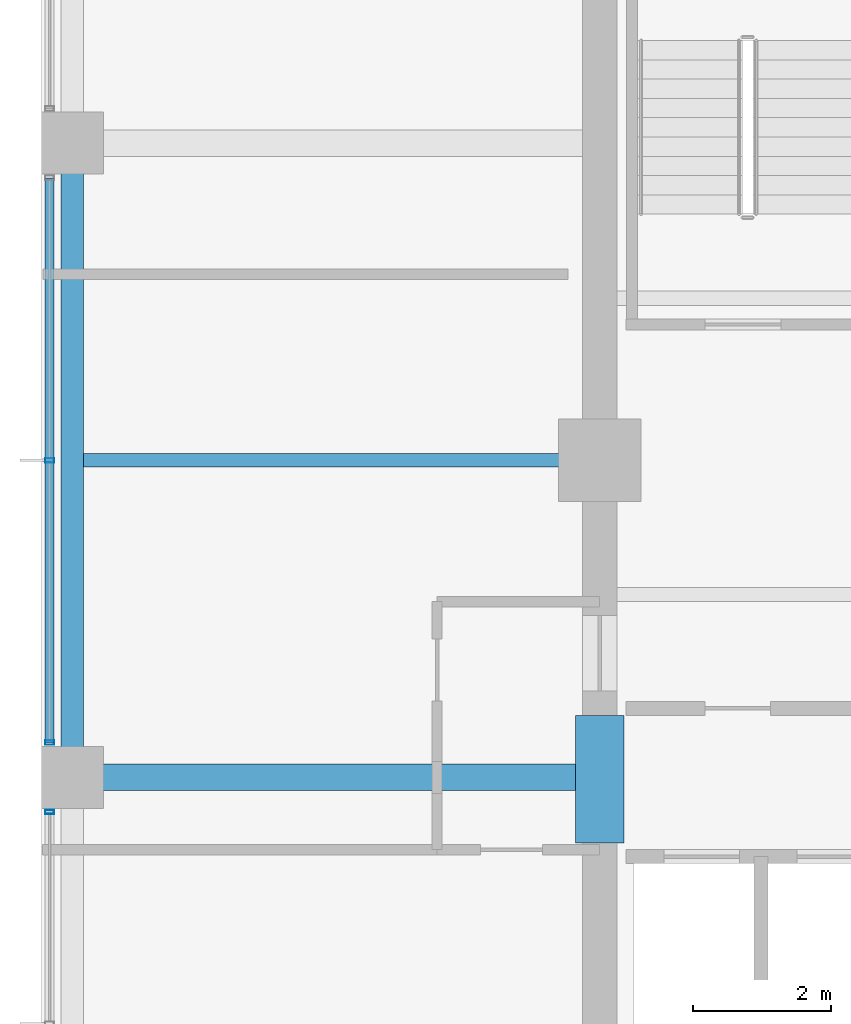
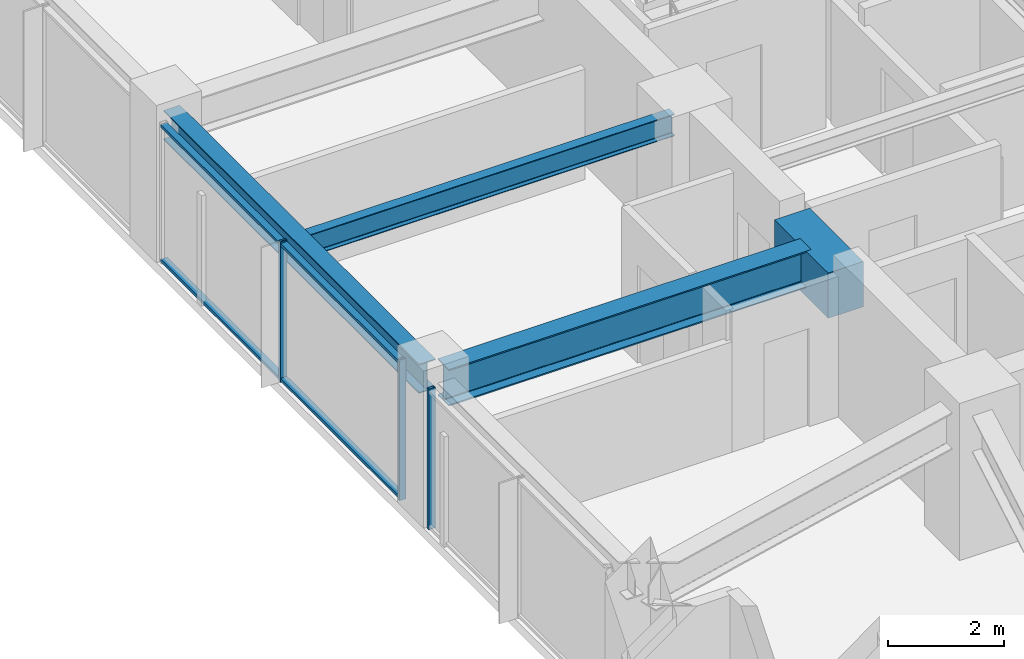
# One storey, part 9 of 31: 5 members, 4 beams, 2 elements without a shape of their own.
"""IFC4 building model written with IfcOpenShell, lengths in metres."""

from ifc_helpers import new_model, si_unit, direction, frame, origin, origin_2d, place, context, subcontext, project, spatial, rectangle, hollow_rectangle, i_section, extrude, material, material_profile, profile_set, type_object, element, aggregate, save


model = new_model("IFC4")

# Units and contexts
model_context = context("Model", 3, precision=1e-05, world=origin(), true_north=direction((0.0, 1.0)))
body_context = subcontext(model_context, "Body", "Model", "MODEL_VIEW")
ifc_project = project(units=[si_unit("LENGTHUNIT", "METRE"), si_unit("AREAUNIT", "SQUARE_METRE"), si_unit("VOLUMEUNIT", "CUBIC_METRE"), si_unit("PLANEANGLEUNIT", "RADIAN"), si_unit("MASSUNIT", "GRAM", prefix="KILO")], contexts=[model_context])

# Site, building, storey
site_placement = place(None, origin())
site = spatial("IfcSite", under=ifc_project, at=site_placement, CompositionType="ELEMENT")
building_placement = place(site_placement, origin())
building = spatial("IfcBuilding", under=site, at=building_placement, Name="Kolvaren Belvedere", CompositionType="ELEMENT")
storey_placement = place(building_placement, frame((0.0, 0.0, 144.800048828125)))
storey = spatial("IfcBuildingStorey", under=building, at=storey_placement, Name="L42", CompositionType="ELEMENT", Elevation=144.800048828125)

# Beams
ifc_material_1 = material(Name="Structural steel ASTM A992 Grade 50", Category="steel")
ifc_material_profile_1 = material_profile(ifc_material_1, i_section(OverallWidth=0.381103515625, OverallDepth=0.77294921875, WebThickness=0.0166015625, FlangeThickness=0.027099609375, FilletRadius=0.02392578125, at=origin_2d()), Name="W30X173")
ifc_profile_set_1 = profile_set([ifc_material_profile_1], Name="Structural steel ASTM A992 Grade 50")
beam_type_1 = type_object("IfcBeamType", Name="BM-GIRD-W30X173", PredefinedType="BEAM", material=ifc_profile_set_1)
beam_1_placement = place(storey_placement, frame((-10.14990234375, -4.60009765625, 2.5634765625), z_axis=(-1.0, 0.0, 0.0), x_axis=(0.0, -1.0, 0.0)))
element("IfcBeam", 1, at=beam_1_placement, inside=storey, type_object=beam_type_1, Name="L42 West Radial Girder M", PredefinedType="BEAM", context=body_context, shape_type="SweptSolid", body=[
    extrude(i_section(OverallWidth=0.381103515625, OverallDepth=0.77294921875, WebThickness=0.0166015625, FlangeThickness=0.027099609375, FilletRadius=0.02392578125, at=origin_2d()), origin(), (0.0, 0.0, 1.0), 7.197509765625),
])
ifc_material_2 = material(Name="Structural steel ASTM A992 Grade 50", Category="steel")
ifc_material_profile_2 = material_profile(ifc_material_2, i_section(OverallWidth=0.19091796875, OverallDepth=0.4599609375, WebThickness=0.010009765625, FlangeThickness=0.01611328125, FilletRadius=0.014892578125, at=origin_2d()), Name="W18X55")
ifc_profile_set_2 = profile_set([ifc_material_profile_2], Name="Structural steel ASTM A992 Grade 50")
beam_type_2 = type_object("IfcBeamType", Name="BM-JOIST-W18X55", PredefinedType="BEAM", material=ifc_profile_set_2)
beam_2_placement = place(storey_placement, frame((-10.14990234375, 0.0, 2.719970703125), z_axis=(-1.0, 0.0, 0.0), x_axis=(0.0, -1.0, 0.0)))
element("IfcBeam", 2, at=beam_2_placement, inside=storey, type_object=beam_type_2, Name="L42 West Centre Floor Beam", PredefinedType="BEAM", context=body_context, shape_type="SweptSolid", body=[
    extrude(i_section(OverallWidth=0.19091796875, OverallDepth=0.4599609375, WebThickness=0.010009765625, FlangeThickness=0.01611328125, FilletRadius=0.014892578125, at=origin_2d()), origin(), (0.0, 0.0, 1.0), 7.237548828125),
])
ifc_material_3 = material(Name="Concrete C60/75", Category="concrete")
ifc_material_profile_3 = material_profile(ifc_material_3, rectangle(XDim=0.699951171875, YDim=0.949951171875, at=origin_2d()), Name="RC 700X950")
ifc_profile_set_3 = profile_set([ifc_material_profile_3], Name="Concrete C60/75")
beam_type_3 = type_object("IfcBeamType", Name="BM-LINT-950", PredefinedType="LINTEL", material=ifc_profile_set_3)
beam_3_placement = place(storey_placement, frame((-9.89990234375, -5.550048828125, 2.474853515625), z_axis=(0.0, 1.0, 0.0), x_axis=(-1.0, 0.0, 0.0)))
element("IfcBeam", 3, at=beam_3_placement, inside=storey, type_object=beam_type_3, Name="L42 West Core Coupling Lintel", PredefinedType="LINTEL", context=body_context, shape_type="SweptSolid", body=[
    extrude(rectangle(XDim=0.699951171875, YDim=0.949951171875, at=origin_2d()), origin(), (0.0, 0.0, 1.0), 1.85009765625),
])
ifc_material_4 = material(Name="Structural steel ASTM A992 Grade 50", Category="steel")
ifc_material_profile_4 = material_profile(ifc_material_4, i_section(OverallWidth=0.324951171875, OverallDepth=0.615966796875, WebThickness=0.013916015625, FlangeThickness=0.021484375, FilletRadius=0.02001953125, at=origin_2d()), Name="W24X117")
ifc_profile_set_4 = profile_set([ifc_material_profile_4], Name="Structural steel ASTM A992 Grade 50")
beam_type_4 = type_object("IfcBeamType", Name="BM-SPAN-W24X117", PredefinedType="SPANDREL", material=ifc_profile_set_4)
beam_4_placement = place(storey_placement, frame((-17.550048828125, 4.3974609375, 2.641845703125), z_axis=(0.0, -1.0, 0.0), x_axis=(1.0, 0.0, 0.0)))
element("IfcBeam", 4, at=beam_4_placement, inside=storey, type_object=beam_type_4, Name="L42 Perimeter Spandrel W3-W2", PredefinedType="SPANDREL", context=body_context, shape_type="SweptSolid", body=[
    extrude(i_section(OverallWidth=0.324951171875, OverallDepth=0.615966796875, WebThickness=0.013916015625, FlangeThickness=0.021484375, FilletRadius=0.02001953125, at=origin_2d()), origin(), (0.0, 0.0, 1.0), 8.794921875),
])

# Curtain wall, member
ifc_material_5 = material(Name="Anodised pale-metal aluminium AA 6063-T6", Category="aluminium")
curtain_wall_type = type_object("IfcCurtainWallType", Name="CW-Z3-WAIST", PredefinedType="NOTDEFINED", material=ifc_material_5)
curtain_wall_1_placement = place(storey_placement, origin())
curtain_wall_1 = element("IfcCurtainWall", 5, at=curtain_wall_1_placement, inside=storey, type_object=curtain_wall_type, Name="L42 Unitised Curtain Wall FCW-L42-W-B1", PredefinedType="NOTDEFINED")
ifc_material_6 = material(Name="Anodised pale-metal aluminium AA 6063-T6", Category="aluminium")
ifc_material_profile_5 = material_profile(ifc_material_6, hollow_rectangle(XDim=0.06494140625, YDim=0.1298828125, WallThickness=0.00390625, at=origin_2d()), Name="ALU-MUL-130X65")
ifc_profile_set_5 = profile_set([ifc_material_profile_5], Name="Anodised pale-metal aluminium AA 6063-T6")
member_type_1 = type_object("IfcMemberType", Name="CW-MUL-130", PredefinedType="MULLION", material=ifc_profile_set_5)
member_1_placement = place(storey_placement, frame((-17.8798828125, -5.1025390625, 0.0), z_axis=(0.0, 0.0, 1.0), x_axis=(0.0, 1.0, 0.0)))
member_1 = element("IfcMember", 6, at=member_1_placement, type_object=member_type_1, Name="FCW-L42-W-B1 Unitised Mullion 3", PredefinedType="MULLION", context=body_context, shape_type="SweptSolid", body=[
    extrude(hollow_rectangle(XDim=0.06494140625, YDim=0.1298828125, WallThickness=0.00390625, at=origin_2d()), origin(), (0.0, 0.0, 1.0), 2.949951171875),
])
aggregate(curtain_wall_1, [member_1])

# Curtain wall, members
curtain_wall_2_placement = place(storey_placement, origin())
curtain_wall_2 = element("IfcCurtainWall", 7, at=curtain_wall_2_placement, inside=storey, type_object=curtain_wall_type, Name="L42 Unitised Curtain Wall FCW-L42-W-B2", PredefinedType="NOTDEFINED")
member_2_placement = place(storey_placement, frame((-17.8798828125, -4.097412109375, 0.0), z_axis=(0.0, 0.0, 1.0), x_axis=(0.0, 1.0, 0.0)))
member_2 = element("IfcMember", 8, at=member_2_placement, type_object=member_type_1, Name="FCW-L42-W-B2 Unitised Mullion 1", PredefinedType="MULLION", context=body_context, shape_type="SweptSolid", body=[
    extrude(hollow_rectangle(XDim=0.06494140625, YDim=0.1298828125, WallThickness=0.00390625, at=origin_2d()), origin(), (0.0, 0.0, 1.0), 2.949951171875),
])
member_3_placement = place(storey_placement, frame((-17.8798828125, 0.0, 0.0), z_axis=(0.0, 0.0, 1.0), x_axis=(0.0, 1.0, 0.0)))
member_3 = element("IfcMember", 9, at=member_3_placement, type_object=member_type_1, Name="FCW-L42-W-B2 Unitised Mullion 2", PredefinedType="MULLION", context=body_context, shape_type="SweptSolid", body=[
    extrude(hollow_rectangle(XDim=0.06494140625, YDim=0.1298828125, WallThickness=0.00390625, at=origin_2d()), origin(), (0.0, 0.0, 1.0), 2.949951171875),
])
ifc_material_7 = material(Name="Anodised pale-metal aluminium AA 6063-T6", Category="aluminium")
ifc_material_profile_6 = material_profile(ifc_material_7, hollow_rectangle(XDim=0.06005859375, YDim=0.1298828125, WallThickness=0.00390625, at=origin_2d()), Name="ALU-TRN-130X60")
ifc_profile_set_6 = profile_set([ifc_material_profile_6], Name="Anodised pale-metal aluminium AA 6063-T6")
member_type_2 = type_object("IfcMemberType", Name="CW-TRN-130", PredefinedType="USERDEFINED", material=ifc_profile_set_6)
member_4_placement = place(storey_placement, frame((-17.8798828125, -4.097412109375, 0.06005859375), z_axis=(0.0, 1.0, 0.0), x_axis=(0.0, 0.0, 1.0)))
member_4 = element("IfcMember", 10, at=member_4_placement, type_object=member_type_2, Name="FCW-L42-W-B2 Sill Transom", ObjectType="TRANSOM", PredefinedType="USERDEFINED", context=body_context, shape_type="SweptSolid", body=[
    extrude(hollow_rectangle(XDim=0.06005859375, YDim=0.1298828125, WallThickness=0.00390625, at=origin_2d()), origin(), (0.0, 0.0, 1.0), 8.19482421875),
])
member_5_placement = place(storey_placement, frame((-17.8798828125, -4.097412109375, 2.889892578125), z_axis=(0.0, 1.0, 0.0), x_axis=(0.0, 0.0, 1.0)))
member_5 = element("IfcMember", 11, at=member_5_placement, type_object=member_type_2, Name="FCW-L42-W-B2 Head Transom", ObjectType="TRANSOM", PredefinedType="USERDEFINED", context=body_context, shape_type="SweptSolid", body=[
    extrude(hollow_rectangle(XDim=0.06005859375, YDim=0.1298828125, WallThickness=0.00390625, at=origin_2d()), origin(), (0.0, 0.0, 1.0), 8.19482421875),
])
aggregate(curtain_wall_2, [member_2, member_3, member_4, member_5])

save(model, "model.ifc")
